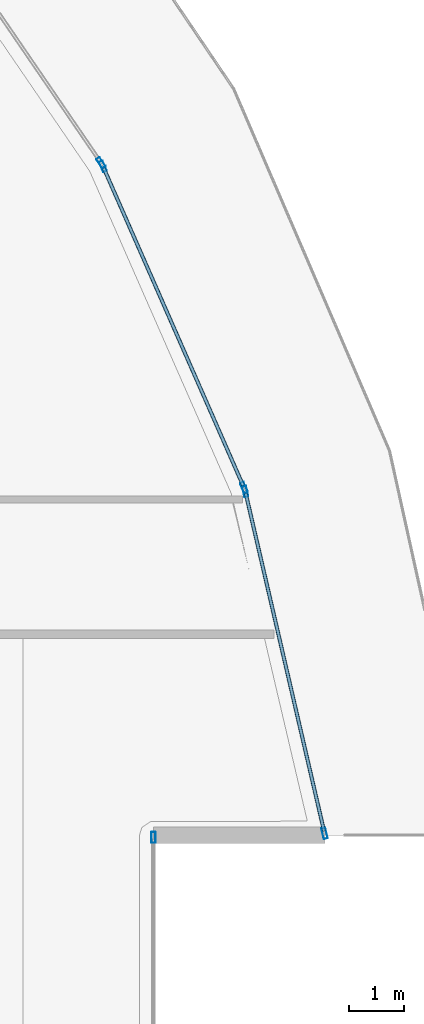
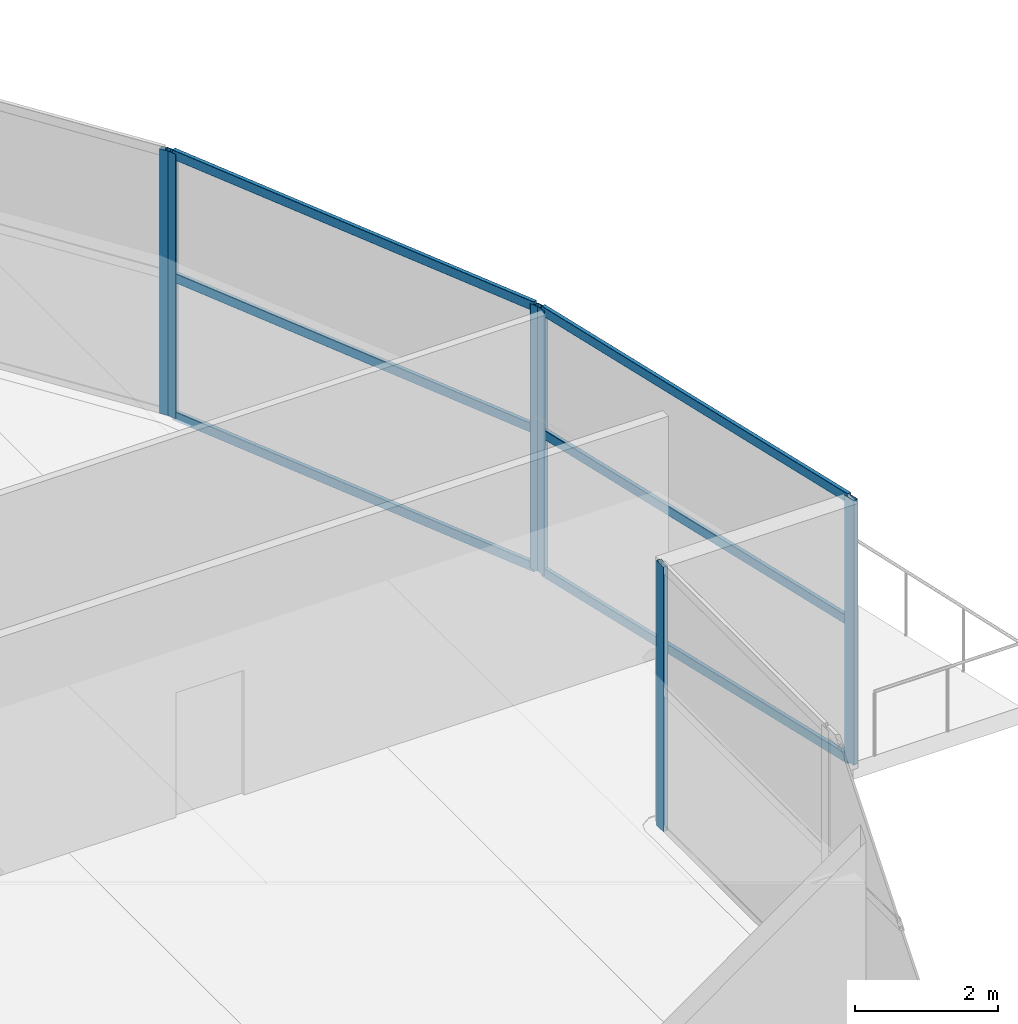
# One storey, part 19 of 36: 12 members, 4 elements without a shape of their own.
"""IFC4 building model written with IfcOpenShell, lengths in metres."""

from ifc_helpers import new_model, si_unit, direction, frame, origin, origin_2d, place, context, subcontext, project, spatial, hollow_rectangle, extrude, material, layer, layer_set, material_profile, profile_set, type_object, element, aggregate, save


model = new_model("IFC4")

# Units and contexts
model_context = context("Model", 3, precision=1e-05, world=origin(), true_north=direction((0.0, 1.0)))
body_context = subcontext(model_context, "Body", "Model", "MODEL_VIEW")
ifc_project = project(units=[si_unit("LENGTHUNIT", "METRE"), si_unit("AREAUNIT", "SQUARE_METRE"), si_unit("VOLUMEUNIT", "CUBIC_METRE"), si_unit("PLANEANGLEUNIT", "RADIAN"), si_unit("MASSUNIT", "GRAM", prefix="KILO")], contexts=[model_context])

# Site, building, storey
site_placement = place(None, origin())
site = spatial("IfcSite", under=ifc_project, at=site_placement, CompositionType="ELEMENT")
building_placement = place(site_placement, origin())
building = spatial("IfcBuilding", under=site, at=building_placement, Name="Qorvath Tower", CompositionType="ELEMENT")
storey_placement = place(building_placement, frame((0.0, 0.0, 180.0)))
storey = spatial("IfcBuildingStorey", under=building, at=storey_placement, Name="L41", CompositionType="ELEMENT", Elevation=180.0)

# Curtain wall, member
ifc_material_1 = material(Name="Anodised aluminium and triple low-E glass", Category="aluminium")
ifc_layer = layer(ifc_material_1, 0.179931640625)
ifc_layer_set = layer_set([ifc_layer], Name="CW-SYS-5")
curtain_wall_type = type_object("IfcCurtainWallType", Name="CW-SYS-5", PredefinedType="NOTDEFINED", material=ifc_layer_set)
curtain_wall_1_placement = place(storey_placement, origin())
curtain_wall_1 = element("IfcCurtainWall", 1, at=curtain_wall_1_placement, inside=storey, type_object=curtain_wall_type, Name="Curtain Wall CW-5 CW-T-L41-9.1", PredefinedType="NOTDEFINED")
ifc_material_2 = material(Name="Anodised aluminium 6063-T6", Category="aluminium")
ifc_material_profile_1 = material_profile(ifc_material_2, hollow_rectangle(XDim=0.074951171875, YDim=0.199951171875, WallThickness=0.00390625, InnerFilletRadius=0.00390625, OuterFilletRadius=0.008056640625, at=origin_2d()), Name="CWM 200x75")
ifc_profile_set_1 = profile_set([ifc_material_profile_1], Name="Anodised aluminium 6063-T6")
member_type_1 = type_object("IfcMemberType", Name="CWM-200", PredefinedType="MULLION", material=ifc_profile_set_1)
member_1_placement = place(storey_placement, frame((-0.445556640625, 4.6279296875, 0.0), z_axis=(0.0, 0.0, 1.0), x_axis=(-1.0, 0.0, 0.0)))
member_1 = element("IfcMember", 2, at=member_1_placement, type_object=member_type_1, Name="CW-5 mullion 3", PredefinedType="MULLION", context=body_context, shape_type="SweptSolid", body=[
    extrude(hollow_rectangle(XDim=0.074951171875, YDim=0.199951171875, WallThickness=0.00390625, InnerFilletRadius=0.00390625, OuterFilletRadius=0.008056640625, at=origin_2d()), origin(), (0.0, 0.0, 1.0), 4.530029296875),
])
aggregate(curtain_wall_1, [member_1])

# Curtain wall, members
curtain_wall_2_placement = place(storey_placement, origin())
curtain_wall_2 = element("IfcCurtainWall", 3, at=curtain_wall_2_placement, inside=storey, type_object=curtain_wall_type, Name="Curtain Wall CW-5 CW-T-L41-11.1", PredefinedType="NOTDEFINED")
member_2_placement = place(storey_placement, frame((2.65625, 4.7021484375, 0.0), z_axis=(0.0, 0.0, 1.0), x_axis=(-0.974145075088, -0.2259233779, 0.0)))
member_2 = element("IfcMember", 4, at=member_2_placement, type_object=member_type_1, Name="CW-5 mullion 1", PredefinedType="MULLION", context=body_context, shape_type="SweptSolid", body=[
    extrude(hollow_rectangle(XDim=0.074951171875, YDim=0.199951171875, WallThickness=0.00390625, InnerFilletRadius=0.00390625, OuterFilletRadius=0.008056640625, at=origin_2d()), origin(), (0.0, 0.0, 1.0), 4.530029296875),
])
member_3_placement = place(storey_placement, frame((1.21875, 10.90087890625, 0.0), z_axis=(0.0, 0.0, 1.0), x_axis=(-0.974145075088, -0.2259233779, 0.0)))
member_3 = element("IfcMember", 5, at=member_3_placement, type_object=member_type_1, Name="CW-5 mullion 2", PredefinedType="MULLION", context=body_context, shape_type="SweptSolid", body=[
    extrude(hollow_rectangle(XDim=0.074951171875, YDim=0.199951171875, WallThickness=0.00390625, InnerFilletRadius=0.00390625, OuterFilletRadius=0.008056640625, at=origin_2d()), origin(), (0.0, 0.0, 1.0), 4.530029296875),
])

curtain_wall_3_placement = place(storey_placement, origin())
curtain_wall_3 = element("IfcCurtainWall", 6, at=curtain_wall_3_placement, inside=storey, type_object=curtain_wall_type, Name="Curtain Wall CW-5 CW-T-L41-12.1", PredefinedType="NOTDEFINED")
member_4_placement = place(storey_placement, frame((1.195068359375, 10.971923828125, 0.0), z_axis=(0.0, 0.0, 1.0), x_axis=(-0.915612514038, -0.402061841186, 0.0)))
member_4 = element("IfcMember", 7, at=member_4_placement, type_object=member_type_1, Name="CW-5 mullion 1", PredefinedType="MULLION", context=body_context, shape_type="SweptSolid", body=[
    extrude(hollow_rectangle(XDim=0.074951171875, YDim=0.199951171875, WallThickness=0.00390625, InnerFilletRadius=0.00390625, OuterFilletRadius=0.008056640625, at=origin_2d()), origin(), (0.0, 0.0, 1.0), 4.530029296875),
])
member_5_placement = place(storey_placement, frame((-1.36328125, 16.798095703125, 0.0), z_axis=(0.0, 0.0, 1.0), x_axis=(-0.915612514038, -0.402061841186, 0.0)))
member_5 = element("IfcMember", 8, at=member_5_placement, type_object=member_type_1, Name="CW-5 mullion 2", PredefinedType="MULLION", context=body_context, shape_type="SweptSolid", body=[
    extrude(hollow_rectangle(XDim=0.074951171875, YDim=0.199951171875, WallThickness=0.00390625, InnerFilletRadius=0.00390625, OuterFilletRadius=0.008056640625, at=origin_2d()), origin(), (0.0, 0.0, 1.0), 4.530029296875),
])

# Curtain wall, member
curtain_wall_4_placement = place(storey_placement, origin())
curtain_wall_4 = element("IfcCurtainWall", 9, at=curtain_wall_4_placement, inside=storey, type_object=curtain_wall_type, Name="Curtain Wall CW-5 CW-T-L41-13.1", PredefinedType="NOTDEFINED")
member_6_placement = place(storey_placement, frame((-1.399658203125, 16.863525390625, 0.0), z_axis=(0.0, 0.0, 1.0), x_axis=(-0.825508358689, -0.564389891595, 0.0)))
member_6 = element("IfcMember", 10, at=member_6_placement, type_object=member_type_1, Name="CW-5 mullion 1", PredefinedType="MULLION", context=body_context, shape_type="SweptSolid", body=[
    extrude(hollow_rectangle(XDim=0.074951171875, YDim=0.199951171875, WallThickness=0.00390625, InnerFilletRadius=0.00390625, OuterFilletRadius=0.008056640625, at=origin_2d()), origin(), (0.0, 0.0, 1.0), 4.530029296875),
])
aggregate(curtain_wall_4, [member_6])

# Member
ifc_material_3 = material(Name="Anodised aluminium 6063-T6", Category="aluminium")
ifc_material_profile_2 = material_profile(ifc_material_3, hollow_rectangle(XDim=0.06494140625, YDim=0.159912109375, WallThickness=0.00341796875, InnerFilletRadius=0.00341796875, OuterFilletRadius=0.007080078125, at=origin_2d()), Name="CWT 160x65")
ifc_profile_set_2 = profile_set([ifc_material_profile_2], Name="Anodised aluminium 6063-T6")
member_type_2 = type_object("IfcMemberType", Name="CWT-160", PredefinedType="USERDEFINED", material=ifc_profile_set_2)
member_7_placement = place(storey_placement, frame((2.64794921875, 4.738525390625, 0.032470703125), z_axis=(-0.225948146921, 0.974139330334, 0.0), x_axis=(-0.974139330334, -0.225948146921, 0.0)))
member_7 = element("IfcMember", 11, at=member_7_placement, type_object=member_type_2, Name="CW-5 transom 1.1", ObjectType="TRANSOM", PredefinedType="USERDEFINED", context=body_context, shape_type="SweptSolid", body=[
    extrude(hollow_rectangle(XDim=0.06494140625, YDim=0.159912109375, WallThickness=0.00341796875, InnerFilletRadius=0.00341796875, OuterFilletRadius=0.007080078125, at=origin_2d()), origin(), (0.0, 0.0, 1.0), 6.28857421875),
])

member_8_placement = place(storey_placement, frame((2.64794921875, 4.738525390625, 2.39990234375), z_axis=(-0.225948146921, 0.974139330334, 0.0), x_axis=(-0.974139330334, -0.225948146921, 0.0)))
member_8 = element("IfcMember", 12, at=member_8_placement, type_object=member_type_2, Name="CW-5 transom 1.2", ObjectType="TRANSOM", PredefinedType="USERDEFINED", context=body_context, shape_type="SweptSolid", body=[
    extrude(hollow_rectangle(XDim=0.06494140625, YDim=0.159912109375, WallThickness=0.00341796875, InnerFilletRadius=0.00341796875, OuterFilletRadius=0.007080078125, at=origin_2d()), origin(), (0.0, 0.0, 1.0), 6.28857421875),
])

member_9_placement = place(storey_placement, frame((2.64794921875, 4.738525390625, 4.49755859375), z_axis=(-0.225948146921, 0.974139330334, 0.0), x_axis=(-0.974139330334, -0.225948146921, 0.0)))
member_9 = element("IfcMember", 13, at=member_9_placement, type_object=member_type_2, Name="CW-5 transom 1.3", ObjectType="TRANSOM", PredefinedType="USERDEFINED", context=body_context, shape_type="SweptSolid", body=[
    extrude(hollow_rectangle(XDim=0.06494140625, YDim=0.159912109375, WallThickness=0.00341796875, InnerFilletRadius=0.00341796875, OuterFilletRadius=0.007080078125, at=origin_2d()), origin(), (0.0, 0.0, 1.0), 6.28857421875),
])

aggregate(curtain_wall_2, [member_2, member_3, member_7, member_8, member_9])

member_10_placement = place(storey_placement, frame((1.179931640625, 11.006103515625, 0.032470703125), z_axis=(-0.402024199909, 0.915629042073, 0.0), x_axis=(-0.915629042073, -0.402024199909, 0.0)))
member_10 = element("IfcMember", 14, at=member_10_placement, type_object=member_type_2, Name="CW-5 transom 1.1", ObjectType="TRANSOM", PredefinedType="USERDEFINED", context=body_context, shape_type="SweptSolid", body=[
    extrude(hollow_rectangle(XDim=0.06494140625, YDim=0.159912109375, WallThickness=0.00341796875, InnerFilletRadius=0.00341796875, OuterFilletRadius=0.007080078125, at=origin_2d()), origin(), (0.0, 0.0, 1.0), 6.288330078125),
])

member_11_placement = place(storey_placement, frame((1.179931640625, 11.006103515625, 2.39990234375), z_axis=(-0.402024199909, 0.915629042073, 0.0), x_axis=(-0.915629042073, -0.402024199909, 0.0)))
member_11 = element("IfcMember", 15, at=member_11_placement, type_object=member_type_2, Name="CW-5 transom 1.2", ObjectType="TRANSOM", PredefinedType="USERDEFINED", context=body_context, shape_type="SweptSolid", body=[
    extrude(hollow_rectangle(XDim=0.06494140625, YDim=0.159912109375, WallThickness=0.00341796875, InnerFilletRadius=0.00341796875, OuterFilletRadius=0.007080078125, at=origin_2d()), origin(), (0.0, 0.0, 1.0), 6.288330078125),
])

member_12_placement = place(storey_placement, frame((1.179931640625, 11.006103515625, 4.49755859375), z_axis=(-0.402024199909, 0.915629042073, 0.0), x_axis=(-0.915629042073, -0.402024199909, 0.0)))
member_12 = element("IfcMember", 16, at=member_12_placement, type_object=member_type_2, Name="CW-5 transom 1.3", ObjectType="TRANSOM", PredefinedType="USERDEFINED", context=body_context, shape_type="SweptSolid", body=[
    extrude(hollow_rectangle(XDim=0.06494140625, YDim=0.159912109375, WallThickness=0.00341796875, InnerFilletRadius=0.00341796875, OuterFilletRadius=0.007080078125, at=origin_2d()), origin(), (0.0, 0.0, 1.0), 6.288330078125),
])

aggregate(curtain_wall_3, [member_4, member_5, member_10, member_11, member_12])

save(model, "model.ifc")
